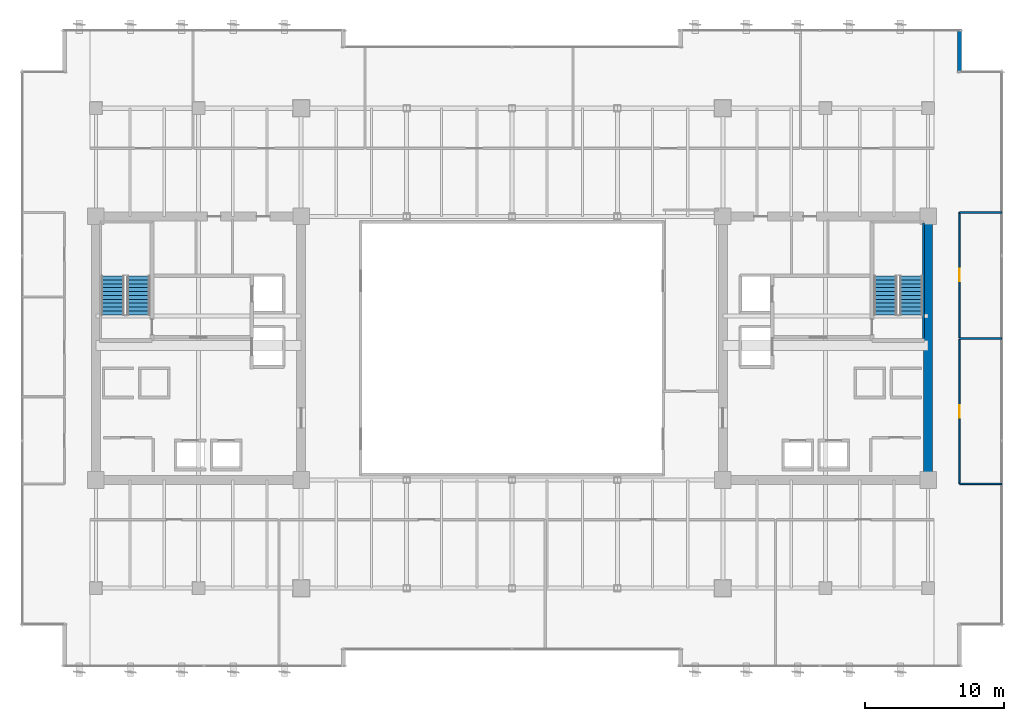
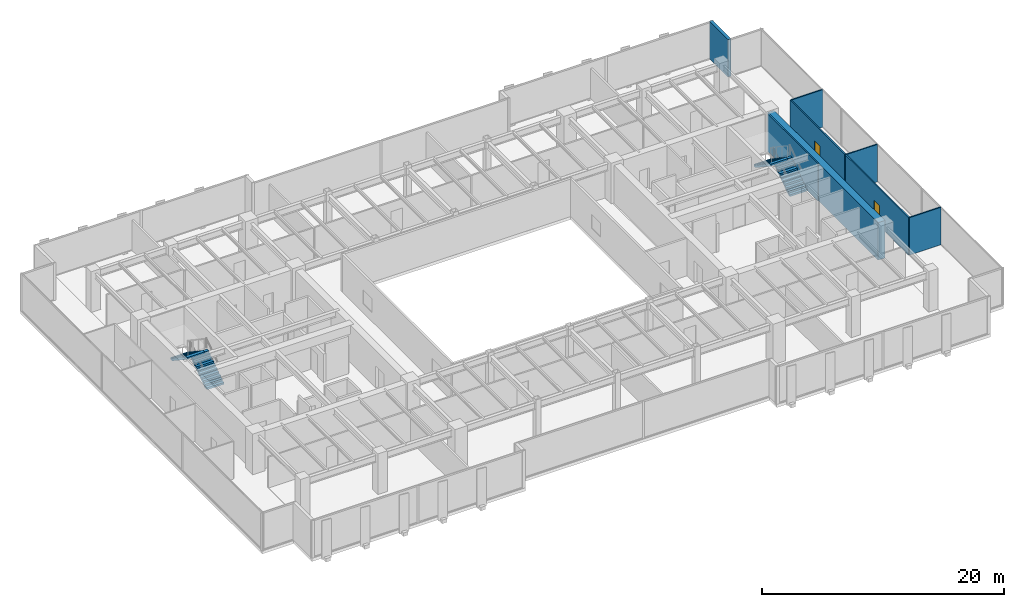
# One storey, part 28 of 34: 8 walls, 4 stair flights, 2 doors, 2 openings, 2 elements without a shape of their own.
"""IFC4 building model written with IfcOpenShell, lengths in metres."""

from ifc_helpers import new_model, si_unit, direction, frame, frame_2d, origin, place, context, subcontext, project, spatial, polyline, rectangle, outline, extrude, source, transform, mapped, material, layer, layer_set, type_object, type_shapes, element, fill, aggregate, save


model = new_model("IFC4")

# Units and contexts
model_context = context("Model", 3, precision=1e-05, world=origin(), true_north=direction((0.0, 1.0)))
body_context = subcontext(model_context, "Body", "Model", "MODEL_VIEW")
ifc_project = project(units=[si_unit("LENGTHUNIT", "METRE"), si_unit("AREAUNIT", "SQUARE_METRE"), si_unit("VOLUMEUNIT", "CUBIC_METRE"), si_unit("PLANEANGLEUNIT", "RADIAN"), si_unit("MASSUNIT", "GRAM", prefix="KILO")], contexts=[model_context])

# Site, building, storey
site_placement = place(None, origin())
site = spatial("IfcSite", under=ifc_project, at=site_placement, CompositionType="ELEMENT")
building_placement = place(site_placement, origin())
building = spatial("IfcBuilding", under=site, at=building_placement, Name="Haelvirn Gate Laboratories", CompositionType="ELEMENT")
storey_placement = place(building_placement, frame((0.0, 0.0, 109.199951171875)))
storey = spatial("IfcBuildingStorey", under=building, at=storey_placement, Name="L26", CompositionType="ELEMENT", Elevation=109.199951171875)

# Walls
ifc_material_1 = material(Name="Thermally-broken bronze aluminium rainscreen & mineral wool", Category="aluminium")
ifc_layer_1 = layer(ifc_material_1, 0.280029296875, Name="EW-TERR-280")
ifc_layer_set_1 = layer_set([ifc_layer_1], Name="Thermally-broken bronze aluminium rainscreen & mineral wool")
wall_type_1 = type_object("IfcWallType", Name="EW-TERR-280", PredefinedType="STANDARD", material=ifc_layer_set_1)
wall_1_placement = place(storey_placement, frame((69.659912109375, 44.2119140625, 0.0), z_axis=(0.0, 0.0, 1.0), x_axis=(0.0, 1.0, 0.0)))
element("IfcWall", 1, at=wall_1_placement, inside=storey, type_object=wall_type_1, Name="L26 Atrium Recess Bronze Return Wall 09", PredefinedType="STANDARD", context=body_context, shape_type="SweptSolid", body=[
    extrude(rectangle(XDim=3.088134765625, YDim=0.280029296875, at=frame_2d((1.5439453125, 0.0))), origin(), (0.0, 0.0, 1.0), 3.7900390625),
])
ifc_material_2 = material(Name="Lightweight acoustic gypsum board partition", Category="gypsum")
ifc_layer_2 = layer(ifc_material_2, 0.1201171875, Name="IW-PART-120")
ifc_layer_set_2 = layer_set([ifc_layer_2], Name="Lightweight acoustic gypsum board partition")
wall_type_2 = type_object("IfcWallType", Name="IW-PART-120", PredefinedType="PARTITIONING", material=ifc_layer_set_2)
for number, where, z_axis, x_axis, name in (
    (2, (69.669921875, 14.514892578125, 0.0), (0.0, 0.0, 1.0), (1.0, 0.0, 0.0), "L26 Interior Wall IW-L26-ECAP-S"),
    (3, (69.669921875, 34.0849609375, 0.0), (0.0, 0.0, 1.0), (1.0, 0.0, 0.0), "L26 Interior Wall IW-L26-ECAP-N"),
):
    element("IfcWall", number, at=place(storey_placement, frame(where, z_axis=z_axis, x_axis=x_axis)), inside=storey, type_object=wall_type_2, Name=name, PredefinedType="PARTITIONING", context=body_context, shape_type="SweptSolid", body=[
        extrude(rectangle(XDim=3.02001953125, YDim=0.1201171875, at=frame_2d((1.510009765625, 0.0))), origin(), (0.0, 0.0, 1.0), 3.7900390625),
    ])

# Wall, opening, door
wall_2_placement = place(storey_placement, frame((69.669921875, 14.514892578125, 0.0), z_axis=(0.0, 0.0, 1.0), x_axis=(0.0, 1.0, 0.0)))
wall_2 = element("IfcWall", 4, at=wall_2_placement, inside=storey, type_object=wall_type_2, Name="L26 Interior Wall IW-L26-EPASS-01", PredefinedType="PARTITIONING", context=body_context, shape_type="SweptSolid", body=[
    extrude(rectangle(XDim=10.425048828125, YDim=0.1201171875, at=frame_2d((5.21240234375, 0.0))), origin(), (0.0, 0.0, 1.0), 3.7900390625),
])
opening_1_placement = place(wall_2_placement, frame((4.762451171875, 0.0, 0.0)))
opening_1 = element("IfcOpeningElement", 5, at=opening_1_placement, cuts=wall_2, Name="Opening D4", PredefinedType="OPENING", context=body_context, shape_type="SweptSolid", body=[
    extrude(rectangle(XDim=0.89990234375, YDim=2.10009765625, at=frame_2d((0.449951171875, 1.050048828125))), frame((0.0, 0.070068359375, 0.0), z_axis=(0.0, -1.0, 0.0), x_axis=(1.0, 0.0, 0.0)), (0.0, 0.0, 1.0), 0.14013671875),
])
ifc_material_3 = material(Name="Glazed aluminium-framed write-up door", Category="aluminium")
door_type = type_object("IfcDoorType", Name="DR-OFF-900", OperationType="NOTDEFINED", PredefinedType="DOOR", material=ifc_material_3)
shared_shape_1 = source(origin(), body_context, "Body", "SweptSolid", [
    extrude(rectangle(XDim=0.89990234375, YDim=2.10009765625, at=frame_2d((0.449951171875, 1.050048828125))), frame((0.0, 0.02490234375, 0.0), z_axis=(0.0, -1.0, 0.0), x_axis=(1.0, 0.0, 0.0)), (0.0, 0.0, 1.0), 0.050048828125),
])
type_shapes(door_type, [shared_shape_1])
door_1_placement = place(opening_1_placement, origin())
door_1 = element("IfcDoor", 6, at=door_1_placement, inside=storey, type_object=door_type, Name="L26 Genomics Assay Laboratory Door E1", OperationType="SINGLE_SWING_LEFT", OverallHeight=2.10009765625, OverallWidth=0.89990234375, PredefinedType="DOOR", context=body_context, shape_type="MappedRepresentation", body=[
    mapped(shared_shape_1, transform((0.0, 0.0, 0.0), scale=1.0)),
])
fill(opening_1, door_1)

# Wall
wall_3_placement = place(storey_placement, frame((69.669921875, 25.0, 0.0), z_axis=(0.0, 0.0, 1.0), x_axis=(1.0, 0.0, 0.0)))
element("IfcWall", 7, at=wall_3_placement, inside=storey, type_object=wall_type_2, Name="L26 Interior Wall IW-L26-EDIV-01", PredefinedType="PARTITIONING", context=body_context, shape_type="SweptSolid", body=[
    extrude(rectangle(XDim=3.02001953125, YDim=0.1201171875, at=frame_2d((1.510009765625, 0.0))), origin(), (0.0, 0.0, 1.0), 3.7900390625),
])

# Wall, opening, door
wall_4_placement = place(storey_placement, frame((69.669921875, 25.06005859375, 0.0), z_axis=(0.0, 0.0, 1.0), x_axis=(0.0, 1.0, 0.0)))
wall_4 = element("IfcWall", 8, at=wall_4_placement, inside=storey, type_object=wall_type_2, Name="L26 Interior Wall IW-L26-EPASS-02", PredefinedType="PARTITIONING", context=body_context, shape_type="SweptSolid", body=[
    extrude(rectangle(XDim=9.02490234375, YDim=0.1201171875, at=frame_2d((4.512451171875, 0.0))), origin(), (0.0, 0.0, 1.0), 3.7900390625),
])
opening_2_placement = place(wall_4_placement, frame((4.0625, 0.0, 0.0)))
opening_2 = element("IfcOpeningElement", 9, at=opening_2_placement, cuts=wall_4, Name="Opening D4", PredefinedType="OPENING", context=body_context, shape_type="SweptSolid", body=[
    extrude(rectangle(XDim=0.89990234375, YDim=2.10009765625, at=frame_2d((0.449951171875, 1.050048828125))), frame((0.0, 0.070068359375, 0.0), z_axis=(0.0, -1.0, 0.0), x_axis=(1.0, 0.0, 0.0)), (0.0, 0.0, 1.0), 0.14013671875),
])
door_2_placement = place(opening_2_placement, origin())
door_2 = element("IfcDoor", 10, at=door_2_placement, inside=storey, type_object=door_type, Name="L26 Proteomics Mass-Spec Laboratory Door E2", OperationType="SINGLE_SWING_RIGHT", OverallHeight=2.10009765625, OverallWidth=0.89990234375, PredefinedType="DOOR", context=body_context, shape_type="MappedRepresentation", body=[
    mapped(shared_shape_1, transform((0.0, 0.0, 0.0), scale=1.0)),
])
fill(opening_2, door_2)

# Walls
ifc_material_4 = material(Name="Concrete C60/75", Category="concrete")
ifc_layer_3 = layer(ifc_material_4, 0.64990234375, Name="SW-CORE-650")
ifc_layer_set_3 = layer_set([ifc_layer_3], Name="Concrete C60/75")
wall_type_3 = type_object("IfcWallType", Name="SW-CORE-650", PredefinedType="SHEAR", material=ifc_layer_set_3)
wall_5_placement = place(storey_placement, frame((67.39990234375, 15.125, 0.0), z_axis=(0.0, 0.0, 1.0), x_axis=(0.0, 1.0, 0.0)))
element("IfcWall", 11, at=wall_5_placement, inside=storey, type_object=wall_type_3, Name="L26 E Core Shear Wall E", PredefinedType="SHEAR", context=body_context, shape_type="SweptSolid", body=[
    extrude(rectangle(XDim=18.35009765625, YDim=0.64990234375, at=frame_2d((9.175048828125, 0.0))), origin(), (0.0, 0.0, 1.0), 3.7900390625),
])
ifc_material_5 = material(Name="Concrete C50/60", Category="concrete")
ifc_layer_4 = layer(ifc_material_5, 0.1201171875, Name="SW-LINER-120")
ifc_layer_set_4 = layer_set([ifc_layer_4], Name="Concrete C50/60")
wall_type_4 = type_object("IfcWallType", Name="SW-LINER-120", PredefinedType="SOLIDWALL", material=ifc_layer_set_4)
wall_6_placement = place(storey_placement, frame((67.070068359375, 25.0, 0.0), z_axis=(0.0, 0.0, 1.0), x_axis=(0.0, 1.0, 0.0)))
element("IfcWall", 12, at=wall_6_placement, inside=storey, type_object=wall_type_4, Name="L26 E Core Stair Shaft Liner Wall OUT", PredefinedType="SOLIDWALL", context=body_context, shape_type="SweptSolid", body=[
    extrude(rectangle(XDim=8.320068359375, YDim=0.1201171875, at=frame_2d((4.16015625, 0.0))), origin(), (0.0, 0.0, 1.0), 3.7900390625),
])

# Stair, stair flights
ifc_material_6 = material(Name="Concrete C40/50", Category="concrete")
stair_type = type_object("IfcStairType", Name="ST-DOG-1650-R22", PredefinedType="HALF_TURN_STAIR", material=ifc_material_6)
stair_1_placement = place(storey_placement, origin())
stair_1 = element("IfcStair", 13, at=stair_1_placement, inside=storey, type_object=stair_type, Name="L26 Escape Stair ST1", PredefinedType="HALF_TURN_STAIR")
stair_flight_type = type_object("IfcStairFlightType", Name="STF-1650-R11", PredefinedType="STRAIGHT", material=ifc_material_6)
shared_shape_2 = source(origin(), body_context, "Body", "SweptSolid", [
    extrude(outline(polyline([(0.0, 0.0), (0.0, 0.186279296875), (0.280029296875, 0.186279296875), (0.280029296875, 0.372802734375), (0.56005859375, 0.372802734375), (0.56005859375, 0.55908203125), (0.840087890625, 0.55908203125), (0.840087890625, 0.745361328125), (1.1201171875, 0.745361328125), (1.1201171875, 0.931884765625), (1.39990234375, 0.931884765625), (1.39990234375, 1.1181640625), (1.679931640625, 1.1181640625), (1.679931640625, 1.304443359375), (1.9599609375, 1.304443359375), (1.9599609375, 1.490966796875), (2.239990234375, 1.490966796875), (2.239990234375, 1.67724609375), (2.52001953125, 1.67724609375), (2.52001953125, 1.863525390625), (2.800048828125, 1.863525390625), (2.800048828125, 2.050048828125), (2.800048828125, 1.671630859375), (0.28857421875, 0.0), (0.0, 0.0)])), frame((0.0, 0.824951171875, 0.0), z_axis=(0.0, -1.0, 0.0), x_axis=(1.0, 0.0, 0.0)), (0.0, 0.0, 1.0), 1.64990234375),
])
type_shapes(stair_flight_type, [shared_shape_2])
stair_flight_1_placement = place(storey_placement, frame((10.47509765625, 26.699951171875, 0.0), z_axis=(0.0, 0.0, 1.0), x_axis=(0.0, 1.0, 0.0)))
stair_flight_1 = element("IfcStairFlight", 14, at=stair_flight_1_placement, type_object=stair_flight_type, Name="ST1 flight 1", NumberOfRisers=11, NumberOfTreads=10, PredefinedType="STRAIGHT", RiserHeight=0.186363636, TreadLength=0.28, context=body_context, shape_type="MappedRepresentation", body=[
    mapped(shared_shape_2, transform((0.0, 0.0, 0.0), scale=1.0)),
])
stair_flight_2_placement = place(storey_placement, frame((8.625, 29.5, 2.050048828125), z_axis=(0.0, 0.0, 1.0), x_axis=(0.0, -1.0, 0.0)))
stair_flight_2 = element("IfcStairFlight", 15, at=stair_flight_2_placement, type_object=stair_flight_type, Name="ST1 flight 2", NumberOfRisers=11, NumberOfTreads=10, PredefinedType="STRAIGHT", RiserHeight=0.186363636, TreadLength=0.28, context=body_context, shape_type="MappedRepresentation", body=[
    mapped(shared_shape_2, transform((0.0, 0.0, 0.0), scale=1.0)),
])
aggregate(stair_1, [stair_flight_1, stair_flight_2])

stair_2_placement = place(storey_placement, origin())
stair_2 = element("IfcStair", 16, at=stair_2_placement, inside=storey, type_object=stair_type, Name="L26 Escape Stair ST2", PredefinedType="HALF_TURN_STAIR")
stair_flight_3_placement = place(storey_placement, frame((66.175048828125, 26.699951171875, 0.0), z_axis=(0.0, 0.0, 1.0), x_axis=(0.0, 1.0, 0.0)))
stair_flight_3 = element("IfcStairFlight", 17, at=stair_flight_3_placement, type_object=stair_flight_type, Name="ST2 flight 1", NumberOfRisers=11, NumberOfTreads=10, PredefinedType="STRAIGHT", RiserHeight=0.186363636, TreadLength=0.28, context=body_context, shape_type="MappedRepresentation", body=[
    mapped(shared_shape_2, transform((0.0, 0.0, 0.0), scale=1.0)),
])
stair_flight_4_placement = place(storey_placement, frame((64.324951171875, 29.5, 2.050048828125), z_axis=(0.0, 0.0, 1.0), x_axis=(0.0, -1.0, 0.0)))
stair_flight_4 = element("IfcStairFlight", 18, at=stair_flight_4_placement, type_object=stair_flight_type, Name="ST2 flight 2", NumberOfRisers=11, NumberOfTreads=10, PredefinedType="STRAIGHT", RiserHeight=0.186363636, TreadLength=0.28, context=body_context, shape_type="MappedRepresentation", body=[
    mapped(shared_shape_2, transform((0.0, 0.0, 0.0), scale=1.0)),
])
aggregate(stair_2, [stair_flight_3, stair_flight_4])

save(model, "model.ifc")
